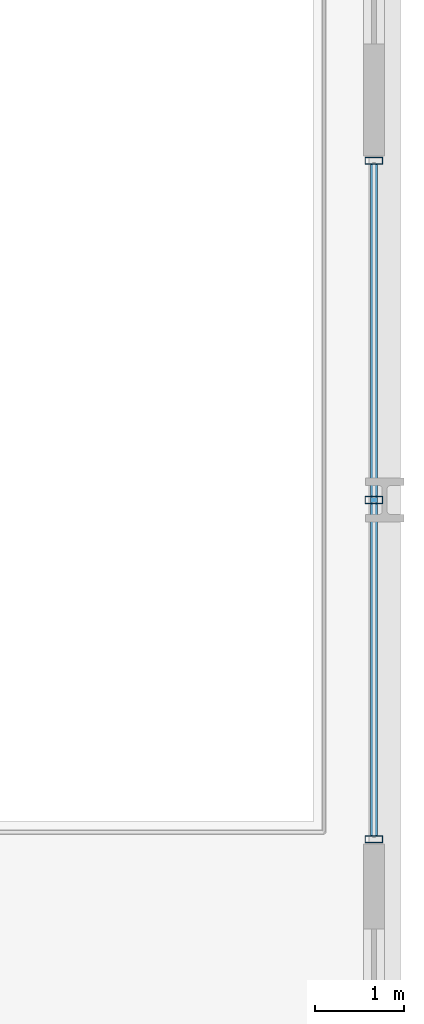
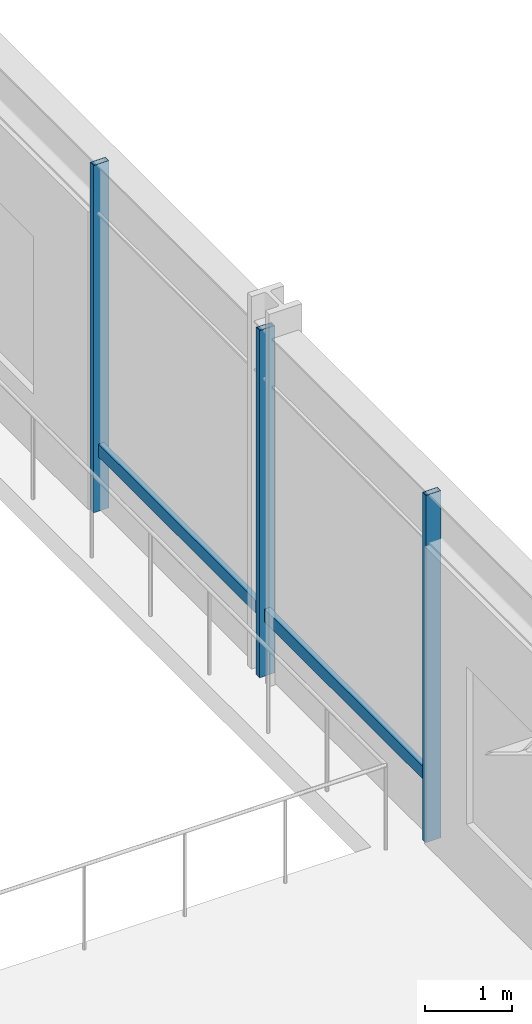
# One storey, part 7 of 21: 4 members, 1 element without a shape of its own.
"""IFC4 building model written with IfcOpenShell, lengths in metres."""

from ifc_helpers import new_model, si_unit, direction, frame, origin, origin_2d, place, context, subcontext, project, spatial, hollow_rectangle, extrude, material, layer, layer_set, material_profile, profile_set, type_object, element, aggregate, save


model = new_model("IFC4")

# Units and contexts
model_context = context("Model", 3, precision=1e-05, world=origin(), true_north=direction((0.0, 1.0)))
body_context = subcontext(model_context, "Body", "Model", "MODEL_VIEW")
ifc_project = project(units=[si_unit("LENGTHUNIT", "METRE"), si_unit("AREAUNIT", "SQUARE_METRE"), si_unit("VOLUMEUNIT", "CUBIC_METRE"), si_unit("PLANEANGLEUNIT", "RADIAN"), si_unit("MASSUNIT", "GRAM", prefix="KILO")], contexts=[model_context])

# Site, building, storey
site_placement = place(None, origin())
site = spatial("IfcSite", under=ifc_project, at=site_placement, CompositionType="ELEMENT")
building_placement = place(site_placement, origin())
building = spatial("IfcBuilding", under=site, at=building_placement, Name="Drelvath Grand Hotel", CompositionType="ELEMENT")
storey_placement = place(building_placement, frame((0.0, 0.0, 22.39990234375)))
storey = spatial("IfcBuildingStorey", under=building, at=storey_placement, Name="L04", CompositionType="ELEMENT", Elevation=22.39990234375)

# Curtain wall, members
ifc_material = material(Name="Dark Bronze Anodised Aluminium Frame", Category="aluminium")
ifc_layer = layer(ifc_material, 0.199951171875)
ifc_layer_set = layer_set([ifc_layer], Name="Dark Bronze Anodised Aluminium Frame")
curtain_wall_type = type_object("IfcCurtainWallType", Name="Stick Curtain Wall CW-01 Dark Bronze Podium", PredefinedType="NOTDEFINED", material=ifc_layer_set)
curtain_wall_placement = place(storey_placement, origin())
curtain_wall = element("IfcCurtainWall", 1, at=curtain_wall_placement, inside=storey, type_object=curtain_wall_type, Name="L04 CW-01 Curtain Wall CW01-L04-EA1", PredefinedType="NOTDEFINED")
ifc_material_profile_1 = material_profile(ifc_material, hollow_rectangle(XDim=0.074951171875, YDim=0.179931640625, WallThickness=0.0048828125, at=origin_2d()), Name="HSS180X75X5")
ifc_profile_set_1 = profile_set([ifc_material_profile_1], Name="Dark Bronze Anodised Aluminium Frame")
member_type_1 = type_object("IfcMemberType", Name="Curtain Wall Horizontal Transom CW-01 HSS180X75X5", PredefinedType="USERDEFINED", material=ifc_profile_set_1)
member_1_placement = place(storey_placement, frame((38.8798828125, 22.360107421875, 0.85009765625), z_axis=(0.0, -1.0, 0.0), x_axis=(1.0, 0.0, 0.0)))
member_1 = element("IfcMember", 2, at=member_1_placement, type_object=member_type_1, Name="CW01-L04-EA1 Sill Transom", ObjectType="TRANSOM", PredefinedType="USERDEFINED", context=body_context, shape_type="SweptSolid", body=[
    extrude(hollow_rectangle(XDim=0.074951171875, YDim=0.179931640625, WallThickness=0.0048828125, at=origin_2d()), origin(), (0.0, 0.0, 1.0), 7.52001953125),
])
ifc_material_profile_2 = material_profile(ifc_material, hollow_rectangle(XDim=0.080078125, YDim=0.199951171875, WallThickness=0.0048828125, at=origin_2d()), Name="HSS200X80X5")
ifc_profile_set_2 = profile_set([ifc_material_profile_2], Name="Dark Bronze Anodised Aluminium Frame")
member_type_2 = type_object("IfcMemberType", Name="Curtain Wall Vertical Mullion CW-01 HSS200X80X5", PredefinedType="MULLION", material=ifc_profile_set_2)
member_2_placement = place(storey_placement, frame((38.8798828125, 22.39990234375, 0.0), z_axis=(0.0, 0.0, 1.0), x_axis=(0.0, 1.0, 0.0)))
member_2 = element("IfcMember", 3, at=member_2_placement, type_object=member_type_2, Name="CW01-L04-EA1 Mullion 1", PredefinedType="MULLION", context=body_context, shape_type="SweptSolid", body=[
    extrude(hollow_rectangle(XDim=0.080078125, YDim=0.199951171875, WallThickness=0.0048828125, at=origin_2d()), origin(), (0.0, 0.0, 1.0), 4.85009765625),
])
member_3_placement = place(storey_placement, frame((38.8798828125, 18.60009765625, 0.0), z_axis=(0.0, 0.0, 1.0), x_axis=(0.0, 1.0, 0.0)))
member_3 = element("IfcMember", 4, at=member_3_placement, type_object=member_type_2, Name="CW01-L04-EA1 Mullion 2", PredefinedType="MULLION", context=body_context, shape_type="SweptSolid", body=[
    extrude(hollow_rectangle(XDim=0.080078125, YDim=0.199951171875, WallThickness=0.0048828125, at=origin_2d()), origin(), (0.0, 0.0, 1.0), 4.85009765625),
])
member_4_placement = place(storey_placement, frame((38.8798828125, 14.800048828125, 0.0), z_axis=(0.0, 0.0, 1.0), x_axis=(0.0, 1.0, 0.0)))
member_4 = element("IfcMember", 5, at=member_4_placement, type_object=member_type_2, Name="CW01-L04-EA1 Mullion 3", PredefinedType="MULLION", context=body_context, shape_type="SweptSolid", body=[
    extrude(hollow_rectangle(XDim=0.080078125, YDim=0.199951171875, WallThickness=0.0048828125, at=origin_2d()), origin(), (0.0, 0.0, 1.0), 4.85009765625),
])
aggregate(curtain_wall, [member_2, member_3, member_4, member_1])

save(model, "model.ifc")
